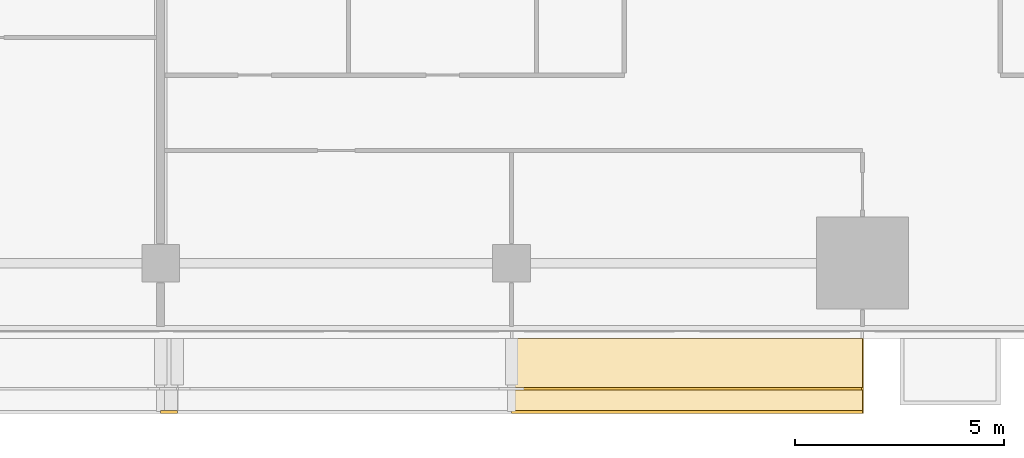
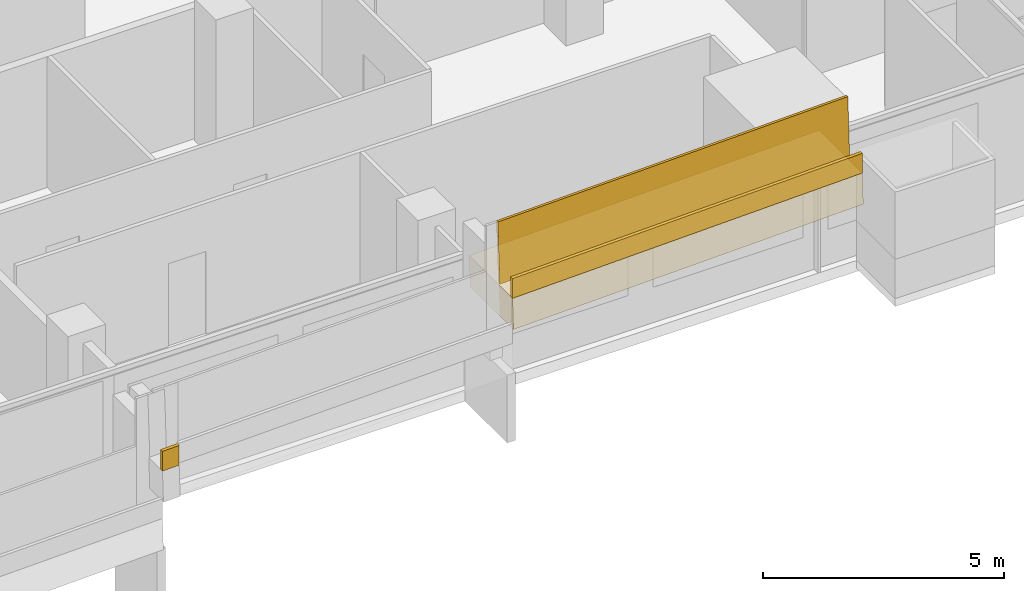
# One storey, part 27 of 27: 3 coverings, 1 railing.
"""IFC4 building model written with IfcOpenShell, lengths in metres."""

from ifc_helpers import new_model, si_unit, direction, frame, origin, origin_2d, place, context, subcontext, project, spatial, polyline, rectangle, outline, extrude, material, layer, layer_set, type_object, element, save


model = new_model("IFC4")

# Units and contexts
model_context = context("Model", 3, precision=1e-05, world=origin(), true_north=direction((0.0, 1.0)))
body_context = subcontext(model_context, "Body", "Model", "MODEL_VIEW")
ifc_project = project(units=[si_unit("LENGTHUNIT", "METRE"), si_unit("AREAUNIT", "SQUARE_METRE"), si_unit("VOLUMEUNIT", "CUBIC_METRE"), si_unit("PLANEANGLEUNIT", "RADIAN"), si_unit("MASSUNIT", "GRAM", prefix="KILO")], contexts=[model_context])

# Site, building, storey
site_placement = place(None, origin())
site = spatial("IfcSite", under=ifc_project, at=site_placement, CompositionType="ELEMENT")
building_placement = place(site_placement, origin())
building = spatial("IfcBuilding", under=site, at=building_placement, Name="Saffron Gate Tower", CompositionType="ELEMENT")
storey_placement = place(building_placement, frame((0.0, 0.0, 44.39990234375)))
storey = spatial("IfcBuildingStorey", under=building, at=storey_placement, Name="L09", CompositionType="ELEMENT", Elevation=44.39990234375)

# Coverings
ifc_material = material(Name="Timber, thermally modified ash", Category="wood")
ifc_layer_1 = layer(ifc_material, 0.800048828125)
ifc_layer_set_1 = layer_set([ifc_layer_1], Name="LD1 ledge timber")
covering_type_1 = type_object("IfcCoveringType", Name="LD1 ledge timber", PredefinedType="CLADDING", material=ifc_layer_set_1)
covering_1_placement = place(storey_placement, frame((108.60009765625, 30.0, 3.38427734375), z_axis=(-0.028791175352, 0.0, 0.999585448184), x_axis=(0.999585448184, 0.0, 0.028791175352)))
element("IfcCovering", 1, at=covering_1_placement, inside=storey, type_object=covering_type_1, Name="LEDGE", PredefinedType="CLADDING", context=body_context, shape_type="SweptSolid", body=[
    extrude(outline(polyline([(0.0, 0.0), (8.403385982666892, 0.0), (8.403385982666892, -1.800048828125), (0.0, -1.800048828125), (0.0, 0.0)])), origin(), (0.0, 0.0, -1.0), 0.800048828125),
])
ifc_layer_2 = layer(ifc_material, 0.080078125)
ifc_layer_set_2 = layer_set([ifc_layer_2], Name="LD2 ledge planter trough")
covering_type_2 = type_object("IfcCoveringType", Name="LD2 ledge planter trough", PredefinedType="CLADDING", material=ifc_layer_set_2)
covering_2_placement = place(storey_placement, frame((100.199951171875, 28.199951171875, 1.942138671875), z_axis=(0.0, -1.0, 0.0), x_axis=(0.999589096284, 0.0, 0.028664238881)))
element("IfcCovering", 2, at=covering_2_placement, inside=storey, type_object=covering_type_2, Name="LEDGE planter trough", PredefinedType="CLADDING", context=body_context, shape_type="SweptSolid", body=[
    extrude(outline(polyline([(0.0, 0.0), (0.40031097364171886, -1.734723475976807e-18), (0.4146430930820291, 0.4997945481418826), (0.014332119440310242, 0.4997945481418827), (0.0, 0.0)])), origin(), (0.0, 0.0, -1.0), 0.080078125),
])
covering_3_placement = place(storey_placement, frame((108.60009765625, 28.199951171875, 3.38427734375), z_axis=(0.0, -1.0, 0.0), x_axis=(0.999585448184, 0.0, 0.028791175352)))
element("IfcCovering", 3, at=covering_3_placement, inside=storey, type_object=covering_type_2, Name="LEDGE planter trough", PredefinedType="CLADDING", context=body_context, shape_type="SweptSolid", body=[
    extrude(outline(polyline([(0.0, 0.0), (8.403385982666892, 0.0), (8.417781570342743, 0.49979272409216496), (0.014395587675851172, 0.4997927240921649), (0.0, 0.0)])), origin(), (0.0, 0.0, -1.0), 0.080078125),
])

# Railing
railing_type = type_object("IfcRailingType", Name="LG1 ledge balustrade", PredefinedType="BALUSTRADE", material=ifc_material)
railing_placement = place(storey_placement, frame((108.60009765625, 28.800048828125, 3.38427734375)))
element("IfcRailing", 4, at=railing_placement, inside=storey, type_object=railing_type, Name="LEDGE BALUSTRADE", PredefinedType="BALUSTRADE", context=body_context, shape_type="SweptSolid", body=[
    extrude(rectangle(XDim=0.06005859375, YDim=1.60009765625, at=origin_2d()), frame((0.0, 0.0, 0.800048828125), z_axis=(0.999585448184, 0.0, 0.028791175352), x_axis=(0.0, 1.0, 0.0)), (0.0, 0.0, 1.0), 8.4033203125),
])

save(model, "model.ifc")
